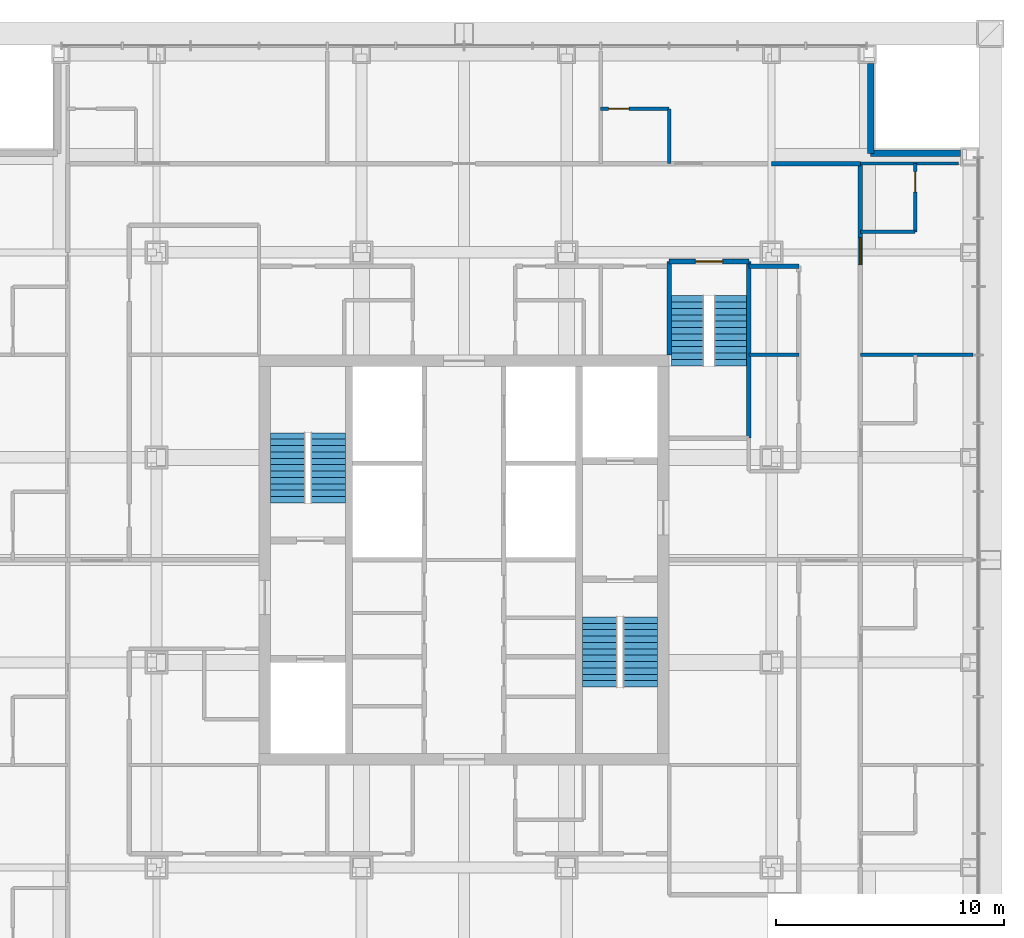
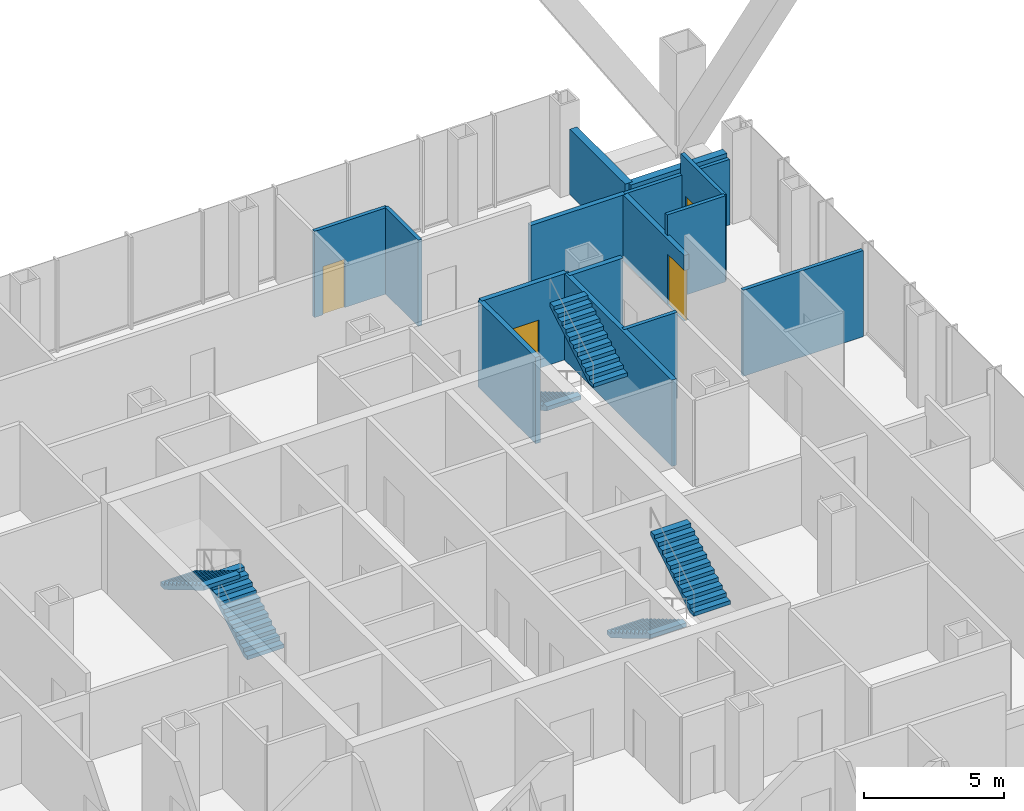
# One storey, part 15 of 16: 15 walls, 6 stair flights, 4 doors, 4 openings, 3 elements without a shape of their own.
"""IFC4 building model written with IfcOpenShell, lengths in metres."""

from ifc_helpers import new_model, si_unit, direction, frame, frame_2d, origin, place, context, subcontext, project, spatial, polyline, rectangle, outline, extrude, material, layer, layer_set, type_object, element, fill, aggregate, save


model = new_model("IFC4")

# Units and contexts
model_context = context("Model", 3, precision=1e-05, world=origin(), true_north=direction((0.0, 1.0)))
body_context = subcontext(model_context, "Body", "Model", "MODEL_VIEW")
ifc_project = project(units=[si_unit("LENGTHUNIT", "METRE"), si_unit("AREAUNIT", "SQUARE_METRE"), si_unit("VOLUMEUNIT", "CUBIC_METRE"), si_unit("PLANEANGLEUNIT", "RADIAN"), si_unit("MASSUNIT", "GRAM", prefix="KILO")], contexts=[model_context])

# Site, building, storey
site_placement = place(None, origin())
site = spatial("IfcSite", under=ifc_project, at=site_placement, CompositionType="ELEMENT")
building_placement = place(site_placement, origin())
building = spatial("IfcBuilding", under=site, at=building_placement, Name="Malebo Sky Hospital", CompositionType="ELEMENT")
storey_placement = place(building_placement, frame((0.0, 0.0, 209.0)))
storey = spatial("IfcBuildingStorey", under=building, at=storey_placement, Name="L50", CompositionType="ELEMENT", Elevation=209.0)

# Walls
ifc_material_1 = material(Name="Gypsum board on steel studs", Category="steel")
ifc_layer_1 = layer(ifc_material_1, 0.199951171875)
ifc_layer_set_1 = layer_set([ifc_layer_1], Name="CORRIDOR WALL 200")
wall_type_1 = type_object("IfcWallType", Name="CORRIDOR WALL 200", PredefinedType="PARTITIONING", material=ifc_layer_set_1)
wall_1_placement = place(storey_placement, frame((73.5, 79.39990234375, 0.0), z_axis=(0.0, 0.0, 1.0), x_axis=(1.0, 0.0, 0.0)))
element("IfcWall", 1, at=wall_1_placement, inside=storey, type_object=wall_type_1, Name="Corridor Wall 200 NCO", PredefinedType="PARTITIONING", context=body_context, shape_type="SweptSolid", body=[
    extrude(rectangle(XDim=3.89990234375, YDim=0.199951171875, at=frame_2d((1.949951171875, 0.0))), origin(), (0.0, 0.0, 1.0), 2.85009765625),
])
wall_2_placement = place(storey_placement, frame((72.5, 74.89990234375, 0.0), z_axis=(0.0, 0.0, 1.0), x_axis=(1.0, 0.0, 0.0)))
element("IfcWall", 2, at=wall_2_placement, inside=storey, type_object=wall_type_1, Name="Corridor Wall 200 NCI2/2", PredefinedType="PARTITIONING", context=body_context, shape_type="SweptSolid", body=[
    extrude(rectangle(XDim=2.199951171875, YDim=0.199951171875, at=frame_2d((1.10009765625, 0.0))), origin(), (0.0, 0.0, 1.0), 3.75),
])

# Wall, opening, door
wall_3_placement = place(storey_placement, frame((77.39990234375, 79.39990234375, 0.0), z_axis=(0.0, 0.0, 1.0), x_axis=(0.0, -1.0, 0.0)))
wall_3 = element("IfcWall", 3, at=wall_3_placement, inside=storey, type_object=wall_type_1, Name="Corridor Wall 200 ECO", PredefinedType="PARTITIONING", context=body_context, shape_type="SweptSolid", body=[
    extrude(rectangle(XDim=4.449951171875, YDim=0.199951171875, at=frame_2d((2.22509765625, 0.0))), origin(), (0.0, 0.0, 1.0), 2.85009765625),
])
opening_1_placement = place(wall_3_placement, frame((3.25, 0.0, 0.0)))
opening_1 = element("IfcOpeningElement", 4, at=opening_1_placement, cuts=wall_3, Name="Opening D01", PredefinedType="OPENING", context=body_context, shape_type="SweptSolid", body=[
    extrude(rectangle(XDim=1.199951171875, YDim=2.199951171875, at=frame_2d((0.60009765625, 1.10009765625))), frame((0.0, 0.10986328125, 0.0), z_axis=(0.0, -1.0, 0.0), x_axis=(1.0, 0.0, 0.0)), (0.0, 0.0, 1.0), 0.219970703125),
])
ifc_material_2 = material(Name="Hardwood-faced door leaf in steel frame", Category="steel")
door_type_1 = type_object("IfcDoorType", Name="BED DOOR 1200", OperationType="SINGLE_SWING_LEFT", PredefinedType="DOOR", material=ifc_material_2)
door_1_placement = place(opening_1_placement, origin())
door_1 = element("IfcDoor", 5, at=door_1_placement, inside=storey, type_object=door_type_1, Name="Birthing room door", OperationType="SINGLE_SWING_LEFT", OverallHeight=2.199951171875, OverallWidth=1.199951171875, PredefinedType="DOOR", context=body_context, shape_type="SweptSolid", body=[
    extrude(rectangle(XDim=1.199951171875, YDim=2.199951171875, at=frame_2d((0.60009765625, 1.10009765625))), frame((0.0, 0.02490234375, 0.0), z_axis=(0.0, -1.0, 0.0), x_axis=(1.0, 0.0, 0.0)), (0.0, 0.0, 1.0), 0.050048828125),
])
fill(opening_1, door_1)

# Walls
ifc_material_3 = material(Name="Anodised aluminium rainscreen on steel framing", Category="steel")
ifc_layer_2 = layer(ifc_material_3, 0.300048828125)
ifc_layer_set_2 = layer_set([ifc_layer_2], Name="NOTCH RAINSCREEN WALL 300")
wall_type_2 = type_object("IfcWallType", Name="NOTCH RAINSCREEN WALL 300", PredefinedType="ELEMENTEDWALL", material=ifc_layer_set_2)
for number, where, z_axis, x_axis, name in (
    (6, (77.85009765625, 83.800048828125, 0.0), (0.0, 0.0, 1.0), (0.0, -1.0, 0.0), "Notch rainscreen wall N1 L50"),
    (7, (77.85009765625, 79.85009765625, 0.0), (0.0, 0.0, 1.0), (1.0, 0.0, 0.0), "Notch rainscreen wall N2 L50"),
):
    element("IfcWall", number, at=place(storey_placement, frame(where, z_axis=z_axis, x_axis=x_axis)), inside=storey, type_object=wall_type_2, Name=name, PredefinedType="ELEMENTEDWALL", context=body_context, shape_type="SweptSolid", body=[
        extrude(rectangle(XDim=3.949951171875, YDim=0.300048828125, at=frame_2d((1.97509765625, 0.0))), origin(), (0.0, 0.0, 1.0), 2.85009765625),
    ])

# Wall, opening, door
ifc_layer_3 = layer(ifc_material_1, 0.14990234375)
ifc_layer_set_3 = layer_set([ifc_layer_3], Name="PARTITION 150")
wall_type_3 = type_object("IfcWallType", Name="PARTITION 150", PredefinedType="PARTITIONING", material=ifc_layer_set_3)
wall_4_placement = place(storey_placement, frame((66.0, 81.800048828125, 0.0), z_axis=(0.0, 0.0, 1.0), x_axis=(1.0, 0.0, 0.0)))
wall_4 = element("IfcWall", 8, at=wall_4_placement, inside=storey, type_object=wall_type_3, Name="Partition 150 NE2F", PredefinedType="PARTITIONING", context=body_context, shape_type="SweptSolid", body=[
    extrude(rectangle(XDim=3.0, YDim=0.14990234375, at=frame_2d((1.5, 0.0))), origin(), (0.0, 0.0, 1.0), 3.75),
])
opening_2_placement = place(wall_4_placement, frame((0.35009765625, 0.0, 0.0)))
opening_2 = element("IfcOpeningElement", 9, at=opening_2_placement, cuts=wall_4, Name="Opening D02", PredefinedType="OPENING", context=body_context, shape_type="SweptSolid", body=[
    extrude(rectangle(XDim=0.89990234375, YDim=2.10009765625, at=frame_2d((0.449951171875, 1.050048828125))), frame((0.0, 0.0849609375, 0.0), z_axis=(0.0, -1.0, 0.0), x_axis=(1.0, 0.0, 0.0)), (0.0, 0.0, 1.0), 0.169921875),
])
door_type_2 = type_object("IfcDoorType", Name="EN-SUITE DOOR 900", OperationType="SINGLE_SWING_LEFT", PredefinedType="DOOR", material=ifc_material_2)
door_2_placement = place(opening_2_placement, origin())
door_2 = element("IfcDoor", 10, at=door_2_placement, inside=storey, type_object=door_type_2, Name="En-suite door", OperationType="SINGLE_SWING_LEFT", OverallHeight=2.10009765625, OverallWidth=0.89990234375, PredefinedType="DOOR", context=body_context, shape_type="SweptSolid", body=[
    extrude(rectangle(XDim=0.89990234375, YDim=2.10009765625, at=frame_2d((0.449951171875, 1.050048828125))), frame((0.0, 0.02490234375, 0.0), z_axis=(0.0, -1.0, 0.0), x_axis=(1.0, 0.0, 0.0)), (0.0, 0.0, 1.0), 0.050048828125),
])
fill(opening_2, door_2)

# Walls
wall_5_placement = place(storey_placement, frame((69.0, 79.39990234375, 0.0), z_axis=(0.0, 0.0, 1.0), x_axis=(0.0, 1.0, 0.0)))
element("IfcWall", 11, at=wall_5_placement, inside=storey, type_object=wall_type_3, Name="Partition 150 NE2S", PredefinedType="PARTITIONING", context=body_context, shape_type="SweptSolid", body=[
    extrude(rectangle(XDim=2.400146484375, YDim=0.14990234375, at=frame_2d((1.2001953125, 0.0))), origin(), (0.0, 0.0, 1.0), 3.75),
])
wall_6_placement = place(storey_placement, frame((77.39990234375, 71.0, 0.0), z_axis=(0.0, 0.0, 1.0), x_axis=(1.0, 0.0, 0.0)))
element("IfcWall", 12, at=wall_6_placement, inside=storey, type_object=wall_type_3, Name="Partition 150 EP-9.0", PredefinedType="PARTITIONING", context=body_context, shape_type="SweptSolid", body=[
    extrude(rectangle(XDim=4.9501953125, YDim=0.14990234375, at=frame_2d((2.47509765625, 0.0))), origin(), (0.0, 0.0, 1.0), 3.75),
])
wall_7_placement = place(storey_placement, frame((77.39990234375, 79.39990234375, 0.0), z_axis=(0.0, 0.0, 1.0), x_axis=(1.0, 0.0, 0.0)))
element("IfcWall", 13, at=wall_7_placement, inside=storey, type_object=wall_type_3, Name="Partition 150 EP0", PredefinedType="PARTITIONING", context=body_context, shape_type="SweptSolid", body=[
    extrude(rectangle(XDim=4.300048828125, YDim=0.14990234375, at=frame_2d((2.14990234375, 0.0))), origin(), (0.0, 0.0, 1.0), 2.85009765625),
])

# Wall, opening, door
wall_8_placement = place(storey_placement, frame((79.800048828125, 79.39990234375, 0.0), z_axis=(0.0, 0.0, 1.0), x_axis=(0.0, -1.0, 0.0)))
wall_8 = element("IfcWall", 14, at=wall_8_placement, inside=storey, type_object=wall_type_3, Name="Partition 150 EE0F", PredefinedType="PARTITIONING", context=body_context, shape_type="SweptSolid", body=[
    extrude(rectangle(XDim=3.0, YDim=0.14990234375, at=frame_2d((1.5, 0.0))), origin(), (0.0, 0.0, 1.0), 3.75),
])
opening_3_placement = place(wall_8_placement, frame((0.35009765625, 0.0, 0.0)))
opening_3 = element("IfcOpeningElement", 15, at=opening_3_placement, cuts=wall_8, Name="Opening D02", PredefinedType="OPENING", context=body_context, shape_type="SweptSolid", body=[
    extrude(rectangle(XDim=0.89990234375, YDim=2.10009765625, at=frame_2d((0.449951171875, 1.050048828125))), frame((0.0, 0.0849609375, 0.0), z_axis=(0.0, -1.0, 0.0), x_axis=(1.0, 0.0, 0.0)), (0.0, 0.0, 1.0), 0.169921875),
])
door_3_placement = place(opening_3_placement, origin())
door_3 = element("IfcDoor", 16, at=door_3_placement, inside=storey, type_object=door_type_2, Name="En-suite door", OperationType="SINGLE_SWING_LEFT", OverallHeight=2.10009765625, OverallWidth=0.89990234375, PredefinedType="DOOR", context=body_context, shape_type="SweptSolid", body=[
    extrude(rectangle(XDim=0.89990234375, YDim=2.10009765625, at=frame_2d((0.449951171875, 1.050048828125))), frame((0.0, 0.02490234375, 0.0), z_axis=(0.0, -1.0, 0.0), x_axis=(1.0, 0.0, 0.0)), (0.0, 0.0, 1.0), 0.050048828125),
])
fill(opening_3, door_3)

# Walls
wall_9_placement = place(storey_placement, frame((77.39990234375, 76.39990234375, 0.0), z_axis=(0.0, 0.0, 1.0), x_axis=(1.0, 0.0, 0.0)))
element("IfcWall", 17, at=wall_9_placement, inside=storey, type_object=wall_type_3, Name="Partition 150 EE0S", PredefinedType="PARTITIONING", context=body_context, shape_type="SweptSolid", body=[
    extrude(rectangle(XDim=2.400146484375, YDim=0.14990234375, at=frame_2d((1.2001953125, 0.0))), origin(), (0.0, 0.0, 1.0), 3.75),
])
wall_10_placement = place(storey_placement, frame((72.5, 71.0, 0.0), z_axis=(0.0, 0.0, 1.0), x_axis=(1.0, 0.0, 0.0)))
element("IfcWall", 18, at=wall_10_placement, inside=storey, type_object=wall_type_3, Name="Partition 150 ESP0", PredefinedType="PARTITIONING", context=body_context, shape_type="SweptSolid", body=[
    extrude(rectangle(XDim=2.199951171875, YDim=0.14990234375, at=frame_2d((1.10009765625, 0.0))), origin(), (0.0, 0.0, 1.0), 3.75),
])
ifc_material_4 = material(Name="Concrete C40/50", Category="concrete")
ifc_layer_4 = layer(ifc_material_4, 0.199951171875)
ifc_layer_set_4 = layer_set([ifc_layer_4], Name="STAIR ENCLOSURE WALL 200")
wall_type_4 = type_object("IfcWallType", Name="STAIR ENCLOSURE WALL 200", PredefinedType="SOLIDWALL", material=ifc_layer_set_4)
wall_11_placement = place(storey_placement, frame((69.0, 71.0, 0.0), z_axis=(0.0, 0.0, 1.0), x_axis=(0.0, 1.0, 0.0)))
element("IfcWall", 19, at=wall_11_placement, inside=storey, type_object=wall_type_4, Name="Stair Enclosure Wall 200 ST3W", PredefinedType="SOLIDWALL", context=body_context, shape_type="SweptSolid", body=[
    extrude(rectangle(XDim=4.10009765625, YDim=0.199951171875, at=frame_2d((2.050048828125, 0.0))), origin(), (0.0, 0.0, 1.0), 3.75),
])
wall_12_placement = place(storey_placement, frame((72.5, 67.35009765625, 0.0), z_axis=(0.0, 0.0, 1.0), x_axis=(0.0, 1.0, 0.0)))
element("IfcWall", 20, at=wall_12_placement, inside=storey, type_object=wall_type_4, Name="Stair Enclosure Wall 200 ST3E", PredefinedType="SOLIDWALL", context=body_context, shape_type="SweptSolid", body=[
    extrude(rectangle(XDim=7.75, YDim=0.199951171875, at=frame_2d((3.875, 0.0))), origin(), (0.0, 0.0, 1.0), 3.75),
])

# Wall, opening, door
wall_13_placement = place(storey_placement, frame((69.0, 75.10009765625, 0.0), z_axis=(0.0, 0.0, 1.0), x_axis=(1.0, 0.0, 0.0)))
wall_13 = element("IfcWall", 21, at=wall_13_placement, inside=storey, type_object=wall_type_4, Name="Stair Enclosure Wall 200 ST3N", PredefinedType="SOLIDWALL", context=body_context, shape_type="SweptSolid", body=[
    extrude(rectangle(XDim=3.5, YDim=0.199951171875, at=frame_2d((1.75, 0.0))), origin(), (0.0, 0.0, 1.0), 3.75),
])
opening_4_placement = place(wall_13_placement, frame((1.14990234375, 0.0, 0.0)))
opening_4 = element("IfcOpeningElement", 22, at=opening_4_placement, cuts=wall_13, Name="Opening D08", PredefinedType="OPENING", context=body_context, shape_type="SweptSolid", body=[
    extrude(rectangle(XDim=1.199951171875, YDim=2.10009765625, at=frame_2d((0.60009765625, 1.050048828125))), frame((0.0, 0.10986328125, 0.0), z_axis=(0.0, -1.0, 0.0), x_axis=(1.0, 0.0, 0.0)), (0.0, 0.0, 1.0), 0.219970703125),
])
door_type_3 = type_object("IfcDoorType", Name="STAIR DOOR 1200", OperationType="SINGLE_SWING_LEFT", PredefinedType="DOOR", material=ifc_material_2)
door_4_placement = place(opening_4_placement, origin())
door_4 = element("IfcDoor", 23, at=door_4_placement, inside=storey, type_object=door_type_3, Name="Stair S3 door", OperationType="SINGLE_SWING_LEFT", OverallHeight=2.10009765625, OverallWidth=1.199951171875, PredefinedType="DOOR", context=body_context, shape_type="SweptSolid", body=[
    extrude(rectangle(XDim=1.199951171875, YDim=2.10009765625, at=frame_2d((0.60009765625, 1.050048828125))), frame((0.0, 0.02490234375, 0.0), z_axis=(0.0, -1.0, 0.0), x_axis=(1.0, 0.0, 0.0)), (0.0, 0.0, 1.0), 0.050048828125),
])
fill(opening_4, door_4)

# Stair, stair flights
stair_type_1 = type_object("IfcStairType", Name="HALF-TURN STAIR 1400 R167", PredefinedType="HALF_TURN_STAIR", material=ifc_material_4)
stair_1_placement = place(storey_placement, origin())
stair_1 = element("IfcStair", 24, at=stair_1_placement, inside=storey, type_object=stair_type_1, Name="Stair S3 L50 type ST1B", PredefinedType="HALF_TURN_STAIR")
stair_flight_type_1 = type_object("IfcStairFlightType", Name="STAIR FLIGHT 1400 R167", PredefinedType="STRAIGHT", material=ifc_material_4)
stair_flight_1_placement = place(storey_placement, frame((69.800048828125, 73.60009765625, 0.0), z_axis=(0.0, 0.0, 1.0), x_axis=(0.0, -1.0, 0.0)))
stair_flight_1 = element("IfcStairFlight", 25, at=stair_flight_1_placement, type_object=stair_flight_type_1, Name="S3 flight 1 type SF1B", NumberOfRisers=12, NumberOfTreads=11, PredefinedType="STRAIGHT", RiserHeight=0.166666667, TreadLength=0.28, context=body_context, shape_type="SweptSolid", body=[
    extrude(outline(polyline([(0.0, 0.0), (0.0, 0.166748046875), (0.280029296875, 0.166748046875), (0.280029296875, 0.333251953125), (0.56005859375, 0.333251953125), (0.56005859375, 0.5), (0.840087890625, 0.5), (0.840087890625, 0.666748046875), (1.1201171875, 0.666748046875), (1.1201171875, 0.833251953125), (1.39990234375, 0.833251953125), (1.39990234375, 1.0), (1.679931640625, 1.0), (1.679931640625, 1.166748046875), (1.9599609375, 1.166748046875), (1.9599609375, 1.333251953125), (2.239990234375, 1.333251953125), (2.239990234375, 1.5), (2.52001953125, 1.5), (2.52001953125, 1.666748046875), (2.800048828125, 1.666748046875), (2.800048828125, 1.833251953125), (3.080078125, 1.833251953125), (3.080078125, 2.0), (3.080078125, 1.658935546875), (0.29296875, 0.0), (0.0, 0.0)])), frame((0.0, 0.699951171875, 0.0), z_axis=(0.0, -1.0, 0.0), x_axis=(1.0, 0.0, 0.0)), (0.0, 0.0, 1.0), 1.39990234375),
])
stair_flight_2_placement = place(storey_placement, frame((71.699951171875, 70.52001953125, 2.0), z_axis=(0.0, 0.0, 1.0), x_axis=(0.0, 1.0, 0.0)))
stair_flight_2 = element("IfcStairFlight", 26, at=stair_flight_2_placement, type_object=stair_flight_type_1, Name="S3 flight 2 type SF1B", NumberOfRisers=12, NumberOfTreads=11, PredefinedType="STRAIGHT", RiserHeight=0.166666667, TreadLength=0.28, context=body_context, shape_type="SweptSolid", body=[
    extrude(outline(polyline([(0.0, 0.0), (0.0, 0.166748046875), (0.280029296875, 0.166748046875), (0.280029296875, 0.333251953125), (0.56005859375, 0.333251953125), (0.56005859375, 0.5), (0.840087890625, 0.5), (0.840087890625, 0.666748046875), (1.1201171875, 0.666748046875), (1.1201171875, 0.833251953125), (1.39990234375, 0.833251953125), (1.39990234375, 1.0), (1.679931640625, 1.0), (1.679931640625, 1.166748046875), (1.9599609375, 1.166748046875), (1.9599609375, 1.333251953125), (2.239990234375, 1.333251953125), (2.239990234375, 1.5), (2.52001953125, 1.5), (2.52001953125, 1.666748046875), (2.800048828125, 1.666748046875), (2.800048828125, 1.833251953125), (3.080078125, 1.833251953125), (3.080078125, 2.0), (3.080078125, 1.658935546875), (0.29296875, 0.0), (0.0, 0.0)])), frame((0.0, 0.699951171875, 0.0), z_axis=(0.0, -1.0, 0.0), x_axis=(1.0, 0.0, 0.0)), (0.0, 0.0, 1.0), 1.39990234375),
])
aggregate(stair_1, [stair_flight_1, stair_flight_2])

stair_type_2 = type_object("IfcStairType", Name="HALF-TURN STAIR 1500 R167", PredefinedType="HALF_TURN_STAIR", material=ifc_material_4)
stair_2_placement = place(storey_placement, origin())
stair_2 = element("IfcStair", 27, at=stair_2_placement, inside=storey, type_object=stair_type_2, Name="Stair S1 L50 type ST1", PredefinedType="HALF_TURN_STAIR")
stair_flight_type_2 = type_object("IfcStairFlightType", Name="STAIR FLIGHT 1500 R167", PredefinedType="STRAIGHT", material=ifc_material_4)
stair_flight_3_placement = place(storey_placement, frame((54.050048828125, 64.5, 0.0), z_axis=(0.0, 0.0, 1.0), x_axis=(0.0, 1.0, 0.0)))
stair_flight_3 = element("IfcStairFlight", 28, at=stair_flight_3_placement, type_object=stair_flight_type_2, Name="S1 flight 1 type SF1", NumberOfRisers=12, NumberOfTreads=11, PredefinedType="STRAIGHT", RiserHeight=0.166666667, TreadLength=0.28, context=body_context, shape_type="SweptSolid", body=[
    extrude(outline(polyline([(0.0, 0.0), (0.0, 0.166748046875), (0.280029296875, 0.166748046875), (0.280029296875, 0.333251953125), (0.56005859375, 0.333251953125), (0.56005859375, 0.5), (0.840087890625, 0.5), (0.840087890625, 0.666748046875), (1.1201171875, 0.666748046875), (1.1201171875, 0.833251953125), (1.39990234375, 0.833251953125), (1.39990234375, 1.0), (1.679931640625, 1.0), (1.679931640625, 1.166748046875), (1.9599609375, 1.166748046875), (1.9599609375, 1.333251953125), (2.239990234375, 1.333251953125), (2.239990234375, 1.5), (2.52001953125, 1.5), (2.52001953125, 1.666748046875), (2.800048828125, 1.666748046875), (2.800048828125, 1.833251953125), (3.080078125, 1.833251953125), (3.080078125, 2.0), (3.080078125, 1.658935546875), (0.29296875, 0.0), (0.0, 0.0)])), frame((0.0, 0.75, 0.0), z_axis=(0.0, -1.0, 0.0), x_axis=(1.0, 0.0, 0.0)), (0.0, 0.0, 1.0), 1.5),
])
stair_flight_4_placement = place(storey_placement, frame((52.25, 67.580078125, 2.0), z_axis=(0.0, 0.0, 1.0), x_axis=(0.0, -1.0, 0.0)))
stair_flight_4 = element("IfcStairFlight", 29, at=stair_flight_4_placement, type_object=stair_flight_type_2, Name="S1 flight 2 type SF1", NumberOfRisers=12, NumberOfTreads=11, PredefinedType="STRAIGHT", RiserHeight=0.166666667, TreadLength=0.28, context=body_context, shape_type="SweptSolid", body=[
    extrude(outline(polyline([(0.0, 0.0), (0.0, 0.166748046875), (0.280029296875, 0.166748046875), (0.280029296875, 0.333251953125), (0.56005859375, 0.333251953125), (0.56005859375, 0.5), (0.840087890625, 0.5), (0.840087890625, 0.666748046875), (1.1201171875, 0.666748046875), (1.1201171875, 0.833251953125), (1.39990234375, 0.833251953125), (1.39990234375, 1.0), (1.679931640625, 1.0), (1.679931640625, 1.166748046875), (1.9599609375, 1.166748046875), (1.9599609375, 1.333251953125), (2.239990234375, 1.333251953125), (2.239990234375, 1.5), (2.52001953125, 1.5), (2.52001953125, 1.666748046875), (2.800048828125, 1.666748046875), (2.800048828125, 1.833251953125), (3.080078125, 1.833251953125), (3.080078125, 2.0), (3.080078125, 1.658935546875), (0.29296875, 0.0), (0.0, 0.0)])), frame((0.0, 0.75, 0.0), z_axis=(0.0, -1.0, 0.0), x_axis=(1.0, 0.0, 0.0)), (0.0, 0.0, 1.0), 1.5),
])
aggregate(stair_2, [stair_flight_3, stair_flight_4])

stair_3_placement = place(storey_placement, origin())
stair_3 = element("IfcStair", 30, at=stair_3_placement, inside=storey, type_object=stair_type_2, Name="Stair S2 L50 type ST1", PredefinedType="HALF_TURN_STAIR")
stair_flight_5_placement = place(storey_placement, frame((65.949951171875, 59.5, 0.0), z_axis=(0.0, 0.0, 1.0), x_axis=(0.0, -1.0, 0.0)))
stair_flight_5 = element("IfcStairFlight", 31, at=stair_flight_5_placement, type_object=stair_flight_type_2, Name="S2 flight 1 type SF1", NumberOfRisers=12, NumberOfTreads=11, PredefinedType="STRAIGHT", RiserHeight=0.166666667, TreadLength=0.28, context=body_context, shape_type="SweptSolid", body=[
    extrude(outline(polyline([(0.0, 0.0), (0.0, 0.166748046875), (0.280029296875, 0.166748046875), (0.280029296875, 0.333251953125), (0.56005859375, 0.333251953125), (0.56005859375, 0.5), (0.840087890625, 0.5), (0.840087890625, 0.666748046875), (1.1201171875, 0.666748046875), (1.1201171875, 0.833251953125), (1.39990234375, 0.833251953125), (1.39990234375, 1.0), (1.679931640625, 1.0), (1.679931640625, 1.166748046875), (1.9599609375, 1.166748046875), (1.9599609375, 1.333251953125), (2.239990234375, 1.333251953125), (2.239990234375, 1.5), (2.52001953125, 1.5), (2.52001953125, 1.666748046875), (2.800048828125, 1.666748046875), (2.800048828125, 1.833251953125), (3.080078125, 1.833251953125), (3.080078125, 2.0), (3.080078125, 1.658935546875), (0.29296875, 0.0), (0.0, 0.0)])), frame((0.0, 0.75, 0.0), z_axis=(0.0, -1.0, 0.0), x_axis=(1.0, 0.0, 0.0)), (0.0, 0.0, 1.0), 1.5),
])
stair_flight_6_placement = place(storey_placement, frame((67.75, 56.419921875, 2.0), z_axis=(0.0, 0.0, 1.0), x_axis=(0.0, 1.0, 0.0)))
stair_flight_6 = element("IfcStairFlight", 32, at=stair_flight_6_placement, type_object=stair_flight_type_2, Name="S2 flight 2 type SF1", NumberOfRisers=12, NumberOfTreads=11, PredefinedType="STRAIGHT", RiserHeight=0.166666667, TreadLength=0.28, context=body_context, shape_type="SweptSolid", body=[
    extrude(outline(polyline([(0.0, 0.0), (0.0, 0.166748046875), (0.280029296875, 0.166748046875), (0.280029296875, 0.333251953125), (0.56005859375, 0.333251953125), (0.56005859375, 0.5), (0.840087890625, 0.5), (0.840087890625, 0.666748046875), (1.1201171875, 0.666748046875), (1.1201171875, 0.833251953125), (1.39990234375, 0.833251953125), (1.39990234375, 1.0), (1.679931640625, 1.0), (1.679931640625, 1.166748046875), (1.9599609375, 1.166748046875), (1.9599609375, 1.333251953125), (2.239990234375, 1.333251953125), (2.239990234375, 1.5), (2.52001953125, 1.5), (2.52001953125, 1.666748046875), (2.800048828125, 1.666748046875), (2.800048828125, 1.833251953125), (3.080078125, 1.833251953125), (3.080078125, 2.0), (3.080078125, 1.658935546875), (0.29296875, 0.0), (0.0, 0.0)])), frame((0.0, 0.75, 0.0), z_axis=(0.0, -1.0, 0.0), x_axis=(1.0, 0.0, 0.0)), (0.0, 0.0, 1.0), 1.5),
])
aggregate(stair_3, [stair_flight_5, stair_flight_6])

save(model, "model.ifc")
